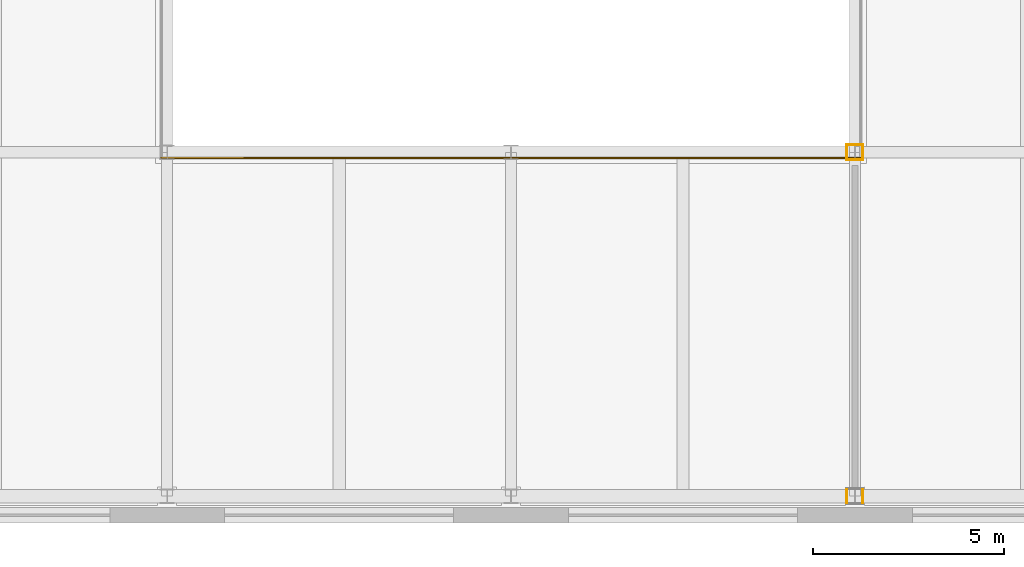
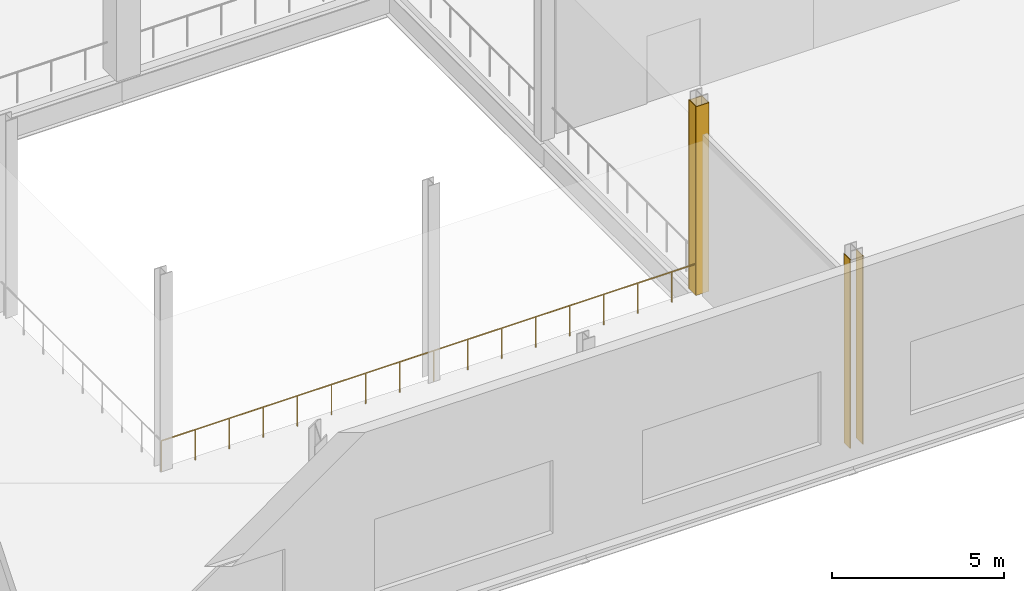
# One storey, part 21 of 32: 6 coverings, 1 railing.
"""IFC4 building model written with IfcOpenShell, lengths in metres."""

from ifc_helpers import new_model, si_unit, direction, frame, origin, origin_2d, place, context, subcontext, project, spatial, rectangle, circle, extrude, material, layer, layer_set, type_object, element, save


model = new_model("IFC4")

# Units and contexts
model_context = context("Model", 3, precision=1e-05, world=origin(), true_north=direction((0.0, 1.0)))
body_context = subcontext(model_context, "Body", "Model", "MODEL_VIEW")
ifc_project = project(units=[si_unit("LENGTHUNIT", "METRE"), si_unit("AREAUNIT", "SQUARE_METRE"), si_unit("VOLUMEUNIT", "CUBIC_METRE"), si_unit("PLANEANGLEUNIT", "RADIAN"), si_unit("MASSUNIT", "GRAM", prefix="KILO")], contexts=[model_context])

# Site, building, storey
site_placement = place(None, origin())
site = spatial("IfcSite", under=ifc_project, at=site_placement, CompositionType="ELEMENT")
building_placement = place(site_placement, origin())
building = spatial("IfcBuilding", under=site, at=building_placement, Name="Loomwork Tower", CompositionType="ELEMENT")
storey_placement = place(building_placement, frame((0.0, 0.0, 16.0)))
storey = spatial("IfcBuildingStorey", under=building, at=storey_placement, Name="L03", CompositionType="ELEMENT", Elevation=16.0)

# Coverings
ifc_material_1 = material(Name="Two-hour fire-rated gypsum board casing")
ifc_layer = layer(ifc_material_1, 0.02490234375)
ifc_layer_set = layer_set([ifc_layer], Name="Column fire casing 25")
covering_type = type_object("IfcCoveringType", Name="Column fire casing 25", PredefinedType="CLADDING", material=ifc_layer_set)
for number, where, z_axis, x_axis, name in (
    (1, (36.20947265625, -27.0, 0.0), (0.0, 0.0, 1.0), (1.0, 0.0, 0.0), "Column casing 36 -27 L03"),
    (2, (35.79052734375, -27.0, 0.0), (0.0, 0.0, 1.0), (1.0, 0.0, 0.0), "Column casing 36 -27 L03"),
):
    element("IfcCovering", number, at=place(storey_placement, frame(where, z_axis=z_axis, x_axis=x_axis)), inside=storey, type_object=covering_type, Name=name, PredefinedType="CLADDING", context=body_context, shape_type="SweptSolid", body=[
        extrude(rectangle(XDim=0.02490234375, YDim=0.3759765625, at=origin_2d()), origin(), (0.0, 0.0, 1.0), 6.699951171875),
    ])
for number, where, z_axis, x_axis, name in (
    (3, (36.0, -17.799560546875, 0.0), (0.0, 0.0, 1.0), (1.0, 0.0, 0.0), "Column casing 36 -18 L03"),
    (4, (36.0, -18.200439453125, 0.0), (0.0, 0.0, 1.0), (1.0, 0.0, 0.0), "Column casing 36 -18 L03"),
):
    element("IfcCovering", number, at=place(storey_placement, frame(where, z_axis=z_axis, x_axis=x_axis)), inside=storey, type_object=covering_type, Name=name, PredefinedType="CLADDING", context=body_context, shape_type="SweptSolid", body=[
        extrude(rectangle(XDim=0.443603515625, YDim=0.02490234375, at=origin_2d()), origin(), (0.0, 0.0, 1.0), 6.699951171875),
    ])
for number, where, z_axis, x_axis, name in (
    (5, (36.20947265625, -18.0, 0.0), (0.0, 0.0, 1.0), (1.0, 0.0, 0.0), "Column casing 36 -18 L03"),
    (6, (35.79052734375, -18.0, 0.0), (0.0, 0.0, 1.0), (1.0, 0.0, 0.0), "Column casing 36 -18 L03"),
):
    element("IfcCovering", number, at=place(storey_placement, frame(where, z_axis=z_axis, x_axis=x_axis)), inside=storey, type_object=covering_type, Name=name, PredefinedType="CLADDING", context=body_context, shape_type="SweptSolid", body=[
        extrude(rectangle(XDim=0.02490234375, YDim=0.3759765625, at=origin_2d()), origin(), (0.0, 0.0, 1.0), 6.699951171875),
    ])

# Railing
ifc_material_2 = material(Name="Stainless steel and laminated glass guard", Category="steel")
railing_type = type_object("IfcRailingType", Name="Guard 1100", PredefinedType="GUARDRAIL", material=ifc_material_2)
railing_placement = place(storey_placement, frame((17.85009765625, -18.14990234375, 0.0)))
element("IfcRailing", 7, at=railing_placement, inside=storey, type_object=railing_type, Name="Atrium guard S L03", PredefinedType="GUARDRAIL", context=body_context, shape_type="SweptSolid", body=[
    extrude(circle(Radius=0.02392578125, at=origin_2d()), frame((0.0, 0.0, 1.076171875), z_axis=(1.0, 0.0, 0.0), x_axis=(0.0, 1.0, 0.0)), (0.0, 0.0, 1.0), 18.2998046875),
    extrude(circle(Radius=0.02099609375, at=origin_2d()), origin(), (0.0, 0.0, 1.0), 1.052001953125),
    extrude(circle(Radius=0.02099609375, at=origin_2d()), frame((1.143798828125, 0.0, 0.0)), (0.0, 0.0, 1.0), 1.052001953125),
    extrude(circle(Radius=0.02099609375, at=origin_2d()), frame((2.28759765625, 0.0, 0.0)), (0.0, 0.0, 1.0), 1.052001953125),
    extrude(circle(Radius=0.02099609375, at=origin_2d()), frame((3.43115234375, 0.0, 0.0)), (0.0, 0.0, 1.0), 1.052001953125),
    extrude(circle(Radius=0.02099609375, at=origin_2d()), frame((4.574951171875, 0.0, 0.0)), (0.0, 0.0, 1.0), 1.052001953125),
    extrude(circle(Radius=0.02099609375, at=origin_2d()), frame((5.71875, 0.0, 0.0)), (0.0, 0.0, 1.0), 1.052001953125),
    extrude(circle(Radius=0.02099609375, at=origin_2d()), frame((6.8623046875, 0.0, 0.0)), (0.0, 0.0, 1.0), 1.052001953125),
    extrude(circle(Radius=0.02099609375, at=origin_2d()), frame((8.006103515625, 0.0, 0.0)), (0.0, 0.0, 1.0), 1.052001953125),
    extrude(circle(Radius=0.02099609375, at=origin_2d()), frame((9.14990234375, 0.0, 0.0)), (0.0, 0.0, 1.0), 1.052001953125),
    extrude(circle(Radius=0.02099609375, at=origin_2d()), frame((10.293701171875, 0.0, 0.0)), (0.0, 0.0, 1.0), 1.052001953125),
    extrude(circle(Radius=0.02099609375, at=origin_2d()), frame((11.4375, 0.0, 0.0)), (0.0, 0.0, 1.0), 1.052001953125),
    extrude(circle(Radius=0.02099609375, at=origin_2d()), frame((12.5810546875, 0.0, 0.0)), (0.0, 0.0, 1.0), 1.052001953125),
    extrude(circle(Radius=0.02099609375, at=origin_2d()), frame((13.724853515625, 0.0, 0.0)), (0.0, 0.0, 1.0), 1.052001953125),
    extrude(circle(Radius=0.02099609375, at=origin_2d()), frame((14.86865234375, 0.0, 0.0)), (0.0, 0.0, 1.0), 1.052001953125),
    extrude(circle(Radius=0.02099609375, at=origin_2d()), frame((16.01220703125, 0.0, 0.0)), (0.0, 0.0, 1.0), 1.052001953125),
    extrude(circle(Radius=0.02099609375, at=origin_2d()), frame((17.156005859375, 0.0, 0.0)), (0.0, 0.0, 1.0), 1.052001953125),
    extrude(circle(Radius=0.02099609375, at=origin_2d()), frame((18.2998046875, 0.0, 0.0)), (0.0, 0.0, 1.0), 1.052001953125),
])

save(model, "model.ifc")
